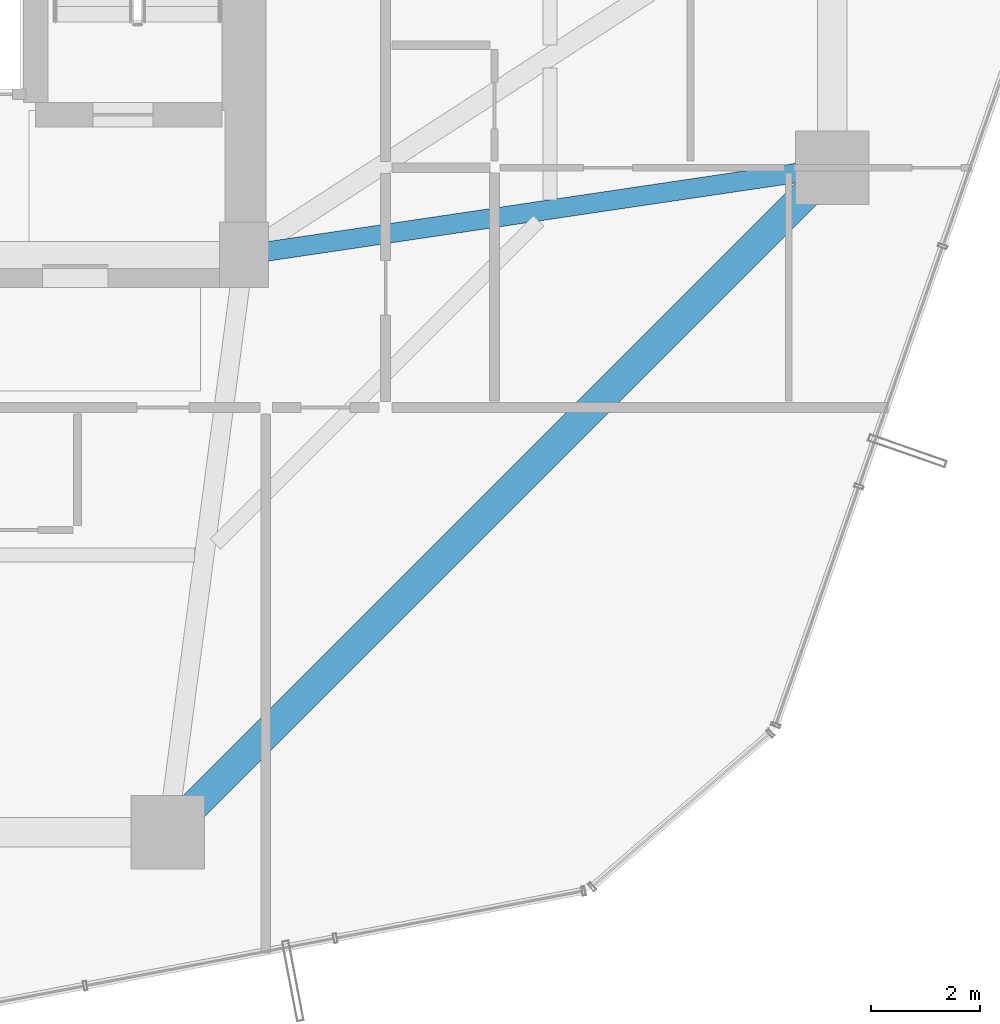
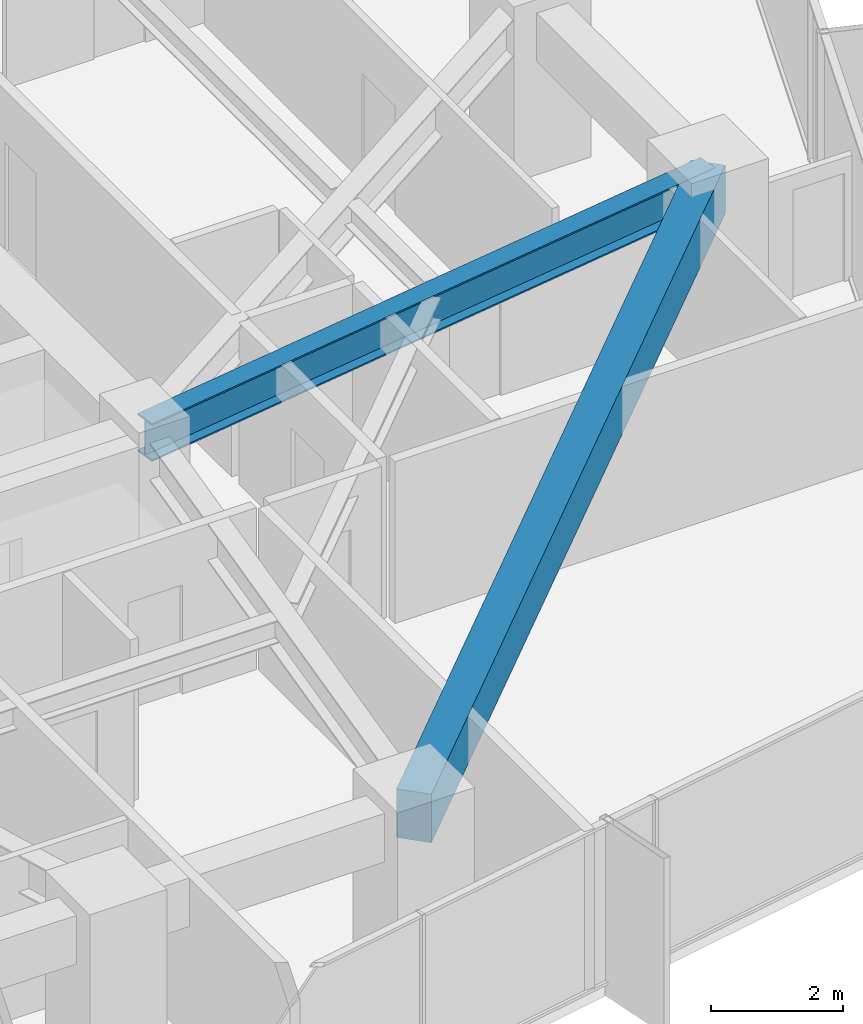
# One storey, part 15 of 38: 2 beams.
"""IFC4 building model written with IfcOpenShell, lengths in metres."""

from ifc_helpers import new_model, si_unit, direction, frame, origin, origin_2d, place, context, subcontext, project, spatial, rectangle, i_section, extrude, material, material_profile, profile_set, type_object, element, save


model = new_model("IFC4")

# Units and contexts
model_context = context("Model", 3, precision=1e-05, world=origin(), true_north=direction((0.0, 1.0)))
body_context = subcontext(model_context, "Body", "Model", "MODEL_VIEW")
ifc_project = project(units=[si_unit("LENGTHUNIT", "METRE"), si_unit("AREAUNIT", "SQUARE_METRE"), si_unit("VOLUMEUNIT", "CUBIC_METRE"), si_unit("PLANEANGLEUNIT", "RADIAN"), si_unit("MASSUNIT", "GRAM", prefix="KILO")], contexts=[model_context])

# Site, building, storey
site_placement = place(None, origin())
site = spatial("IfcSite", under=ifc_project, at=site_placement, CompositionType="ELEMENT")
building_placement = place(site_placement, origin())
building = spatial("IfcBuilding", under=site, at=building_placement, Name="Veraguas Prism Commons", CompositionType="ELEMENT")
storey_placement = place(building_placement, frame((0.0, 0.0, 60.85009765625)))
storey = spatial("IfcBuildingStorey", under=building, at=storey_placement, Name="L16", CompositionType="ELEMENT", Elevation=60.85009765625)

# Beams
ifc_material_1 = material(Name="Concrete C50/60", Category="concrete")
ifc_material_profile_1 = material_profile(ifc_material_1, rectangle(XDim=0.550048828125, YDim=0.89990234375, at=origin_2d()), Name="RC550X900")
ifc_profile_set_1 = profile_set([ifc_material_profile_1], Name="Concrete C50/60")
beam_type_1 = type_object("IfcBeamType", Name="Perimeter Spandrel Lower RC 550x900", PredefinedType="SPANDREL", material=ifc_profile_set_1)
beam_1_placement = place(storey_placement, frame((29.39990234375, 6.39990234375, 2.5498046875), z_axis=(0.707106781187, 0.707106781187, 0.0), x_axis=(-0.707106781187, 0.707106781187, 0.0)))
element("IfcBeam", 1, at=beam_1_placement, inside=storey, type_object=beam_type_1, Name="Perimeter Spandrel Beam L16-SP12", PredefinedType="SPANDREL", context=body_context, shape_type="SweptSolid", body=[
    extrude(rectangle(XDim=0.550048828125, YDim=0.89990234375, at=origin_2d()), origin(), (0.0, 0.0, 1.0), 17.253662109375),
])
ifc_material_2 = material(Name="Steel ASTM A992 Grade 50", Category="steel")
ifc_material_profile_2 = material_profile(ifc_material_2, i_section(OverallWidth=0.35595703125, OverallDepth=0.700927734375, WebThickness=0.016845703125, FlangeThickness=0.02734375, at=origin_2d()), Name="W690X240")
ifc_profile_set_2 = profile_set([ifc_material_profile_2], Name="Steel ASTM A992 Grade 50")
beam_type_2 = type_object("IfcBeamType", Name="Zone 1 Radial Girder W690x240", PredefinedType="BEAM", material=ifc_profile_set_2)
beam_2_placement = place(storey_placement, frame((41.60009765625, 18.60009765625, 2.6494140625), z_axis=(-0.989202261707, -0.146556765224, 0.0), x_axis=(0.146556765224, -0.989202261707, 0.0)))
element("IfcBeam", 2, at=beam_2_placement, inside=storey, type_object=beam_type_2, Name="Radial Floor Girder L16-RD01", PredefinedType="BEAM", context=body_context, shape_type="SweptSolid", body=[
    extrude(i_section(OverallWidth=0.35595703125, OverallDepth=0.700927734375, WebThickness=0.016845703125, FlangeThickness=0.02734375, at=origin_2d()), origin(), (0.0, 0.0, 1.0), 10.91796875),
])

save(model, "model.ifc")
